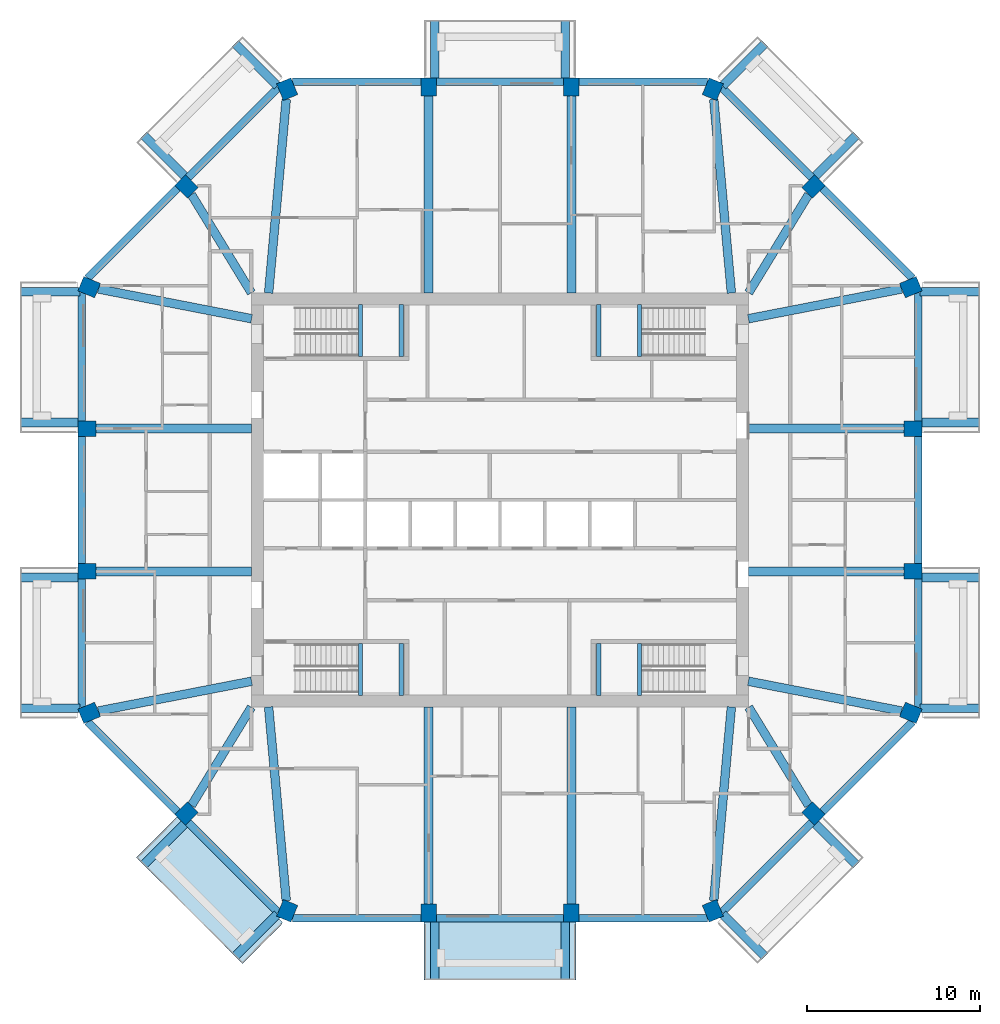
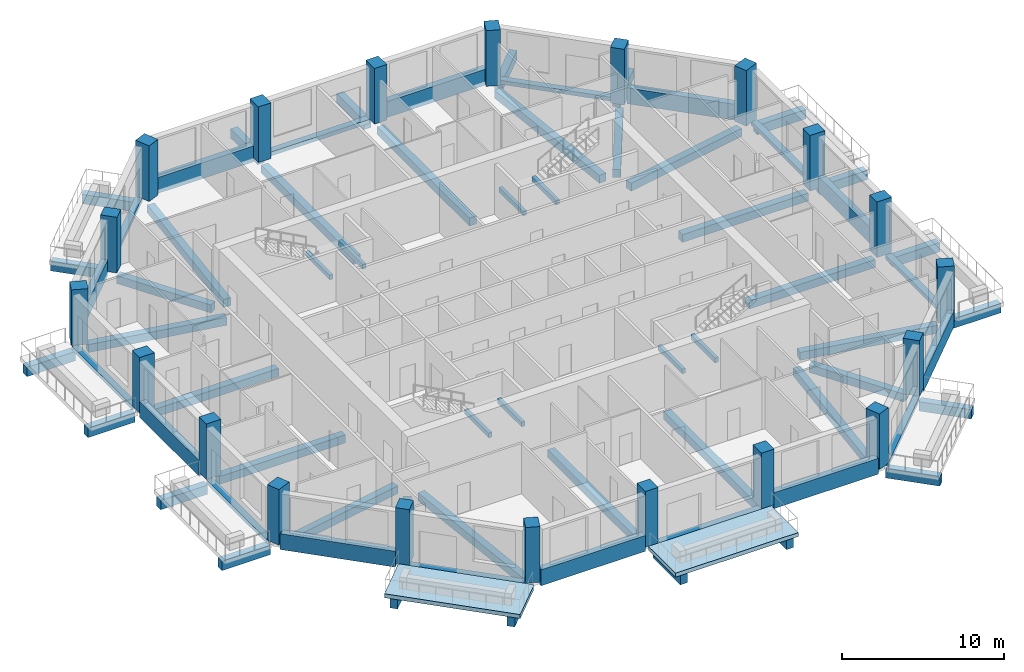
# One storey, part 1 of 12: 68 beams, 20 columns, 2 slabs.
"""IFC4 building model written with IfcOpenShell, lengths in metres."""

from ifc_helpers import new_model, si_unit, direction, frame, origin, origin_2d, place, context, subcontext, project, spatial, polyline, rectangle, outline, extrude, material, layer, layer_set, material_profile, profile_set, type_object, element, save


model = new_model("IFC4")

# Units and contexts
model_context = context("Model", 3, precision=1e-05, world=origin(), true_north=direction((0.0, 1.0)))
body_context = subcontext(model_context, "Body", "Model", "MODEL_VIEW")
ifc_project = project(units=[si_unit("LENGTHUNIT", "METRE"), si_unit("AREAUNIT", "SQUARE_METRE"), si_unit("VOLUMEUNIT", "CUBIC_METRE"), si_unit("PLANEANGLEUNIT", "RADIAN"), si_unit("MASSUNIT", "GRAM", prefix="KILO")], contexts=[model_context])

# Site, building, storey
site_placement = place(None, origin())
site = spatial("IfcSite", under=ifc_project, at=site_placement, CompositionType="ELEMENT")
building_placement = place(site_placement, origin())
building = spatial("IfcBuilding", under=site, at=building_placement, Name="Msitu Wima Residences", CompositionType="ELEMENT")
storey_placement = place(building_placement, frame((0.0, 0.0, 204.300048828125)))
storey = spatial("IfcBuildingStorey", under=building, at=storey_placement, Name="L47", CompositionType="ELEMENT", Elevation=204.300048828125)

# Columns
ifc_material_1 = material(Name="Concrete C60/75", Category="concrete")
ifc_material_profile_1 = material_profile(ifc_material_1, rectangle(XDim=0.89990234375, YDim=1.050048828125, at=origin_2d()), Name="RC 900x1050")
ifc_profile_set_1 = profile_set([ifc_material_profile_1], Name="Concrete C60/75")
column_type = type_object("IfcColumnType", Name="Column RC 900x1050 Concrete C60/75", PredefinedType="COLUMN", material=ifc_profile_set_1)
for number, where, z_axis, x_axis, name in (
    (1, (23.792724609375, -12.325927734375, 0.0), (0.0, 0.0, 1.0), (0.382683496864, 0.923879505795, 0.0), "Column L47 C-E0"),
    (2, (23.925048828125, -4.13720703125, 0.0), (0.0, 0.0, 1.0), (0.0, 1.0, 0.0), "Column L47 C-E1"),
    (3, (23.925048828125, 4.13720703125, 0.0), (0.0, 0.0, 1.0), (0.0, 1.0, 0.0), "Column L47 C-E2"),
    (4, (23.792724609375, 12.325927734375, 0.0), (0.0, 0.0, 1.0), (-0.382683496864, 0.923879505795, 0.0), "Column L47 C-NE0"),
    (5, (18.15283203125, 18.15283203125, 0.0), (0.0, 0.0, 1.0), (-0.707106781187, 0.707106781187, 0.0), "Column L47 C-NE1"),
    (6, (12.325927734375, 23.792724609375, 0.0), (0.0, 0.0, 1.0), (-0.923879505795, 0.382683496864, 0.0), "Column L47 C-N0"),
    (7, (4.13720703125, 23.925048828125, 0.0), (0.0, 0.0, 1.0), (-1.0, 0.0, 0.0), "Column L47 C-N1"),
    (8, (-4.13720703125, 23.925048828125, 0.0), (0.0, 0.0, 1.0), (-1.0, 0.0, 0.0), "Column L47 C-N2"),
    (9, (-12.325927734375, 23.792724609375, 0.0), (0.0, 0.0, 1.0), (-0.923879505795, -0.382683496864, 0.0), "Column L47 C-NW0"),
    (10, (-18.15283203125, 18.15283203125, 0.0), (0.0, 0.0, 1.0), (-0.707106781187, -0.707106781187, 0.0), "Column L47 C-NW1"),
    (11, (-23.792724609375, 12.325927734375, 0.0), (0.0, 0.0, 1.0), (-0.382683496864, -0.923879505795, 0.0), "Column L47 C-W0"),
    (12, (-23.925048828125, 4.13720703125, 0.0), (0.0, 0.0, 1.0), (0.0, -1.0, 0.0), "Column L47 C-W1"),
    (13, (-23.925048828125, -4.13720703125, 0.0), (0.0, 0.0, 1.0), (0.0, -1.0, 0.0), "Column L47 C-W2"),
    (14, (-23.792724609375, -12.325927734375, 0.0), (0.0, 0.0, 1.0), (0.382683496864, -0.923879505795, 0.0), "Column L47 C-SW0"),
    (15, (-18.15283203125, -18.15283203125, 0.0), (0.0, 0.0, 1.0), (0.707106781187, -0.707106781187, 0.0), "Column L47 C-SW1"),
    (16, (-12.325927734375, -23.792724609375, 0.0), (0.0, 0.0, 1.0), (0.923879505795, -0.382683496864, 0.0), "Column L47 C-S0"),
    (17, (-4.13720703125, -23.925048828125, 0.0), (0.0, 0.0, 1.0), (1.0, 0.0, 0.0), "Column L47 C-S1"),
    (18, (4.13720703125, -23.925048828125, 0.0), (0.0, 0.0, 1.0), (1.0, 0.0, 0.0), "Column L47 C-S2"),
    (19, (12.325927734375, -23.792724609375, 0.0), (0.0, 0.0, 1.0), (0.923879505795, 0.382683496864, 0.0), "Column L47 C-SE0"),
    (20, (18.15283203125, -18.15283203125, 0.0), (0.0, 0.0, 1.0), (0.707106781187, 0.707106781187, 0.0), "Column L47 C-SE1"),
):
    element("IfcColumn", number, at=place(storey_placement, frame(where, z_axis=z_axis, x_axis=x_axis)), inside=storey, type_object=column_type, Name=name, PredefinedType="COLUMN", context=body_context, shape_type="SweptSolid", body=[
        extrude(rectangle(XDim=0.89990234375, YDim=1.050048828125, at=origin_2d()), origin(), (0.0, 0.0, 1.0), 4.199951171875),
    ])

# Beams
ifc_material_2 = material(Name="Concrete C50/60", Category="concrete")
ifc_material_profile_2 = material_profile(ifc_material_2, rectangle(XDim=0.5, YDim=0.60009765625, at=origin_2d()), Name="RC 500x600")
ifc_profile_set_2 = profile_set([ifc_material_profile_2], Name="Concrete C50/60")
beam_type_1 = type_object("IfcBeamType", Name="Beam RC 500x600 Concrete C50/60", PredefinedType="BEAM", material=ifc_profile_set_2)
beam_1_placement = place(storey_placement, frame((23.266845703125, -12.2236328125, -0.550048828125), z_axis=(-0.981627328559, 0.190808248841, 0.0), x_axis=(-0.190808248841, -0.981627328559, 0.0)))
element("IfcBeam", 21, at=beam_1_placement, inside=storey, type_object=beam_type_1, Name="Beam L47 C-E0", PredefinedType="BEAM", context=body_context, shape_type="SweptSolid", body=[
    extrude(rectangle(XDim=0.5, YDim=0.60009765625, at=origin_2d()), origin(), (0.0, 0.0, 1.0), 9.044921875),
])
for number, where, z_axis, x_axis, name in (
    (22, (23.39990234375, -4.13720703125, -0.550048828125), (-1.0, 0.0, 0.0), (0.0, -1.0, 0.0), "Beam L47 C-E1"),
    (23, (23.39990234375, 4.13720703125, -0.550048828125), (-1.0, 0.0, 0.0), (0.0, -1.0, 0.0), "Beam L47 C-E2"),
):
    element("IfcBeam", number, at=place(storey_placement, frame(where, z_axis=z_axis, x_axis=x_axis)), inside=storey, type_object=beam_type_1, Name=name, PredefinedType="BEAM", context=body_context, shape_type="SweptSolid", body=[
        extrude(rectangle(XDim=0.5, YDim=0.60009765625, at=origin_2d()), origin(), (0.0, 0.0, 1.0), 9.0),
    ])
beam_2_placement = place(storey_placement, frame((23.266845703125, 12.2236328125, -0.550048828125), z_axis=(-0.981627328559, -0.190808248841, 0.0), x_axis=(0.190808248841, -0.981627328559, 0.0)))
element("IfcBeam", 24, at=beam_2_placement, inside=storey, type_object=beam_type_1, Name="Beam L47 C-NE0", PredefinedType="BEAM", context=body_context, shape_type="SweptSolid", body=[
    extrude(rectangle(XDim=0.5, YDim=0.60009765625, at=origin_2d()), origin(), (0.0, 0.0, 1.0), 9.044921875),
])
beam_3_placement = place(storey_placement, frame((17.87158203125, 17.691650390625, -0.550048828125), z_axis=(-0.520734381113, -0.853718750132, 0.0), x_axis=(0.853718750132, -0.520734381113, 0.0)))
element("IfcBeam", 25, at=beam_3_placement, inside=storey, type_object=beam_type_1, Name="Beam L47 C-NE1", PredefinedType="BEAM", context=body_context, shape_type="SweptSolid", body=[
    extrude(rectangle(XDim=0.5, YDim=0.60009765625, at=origin_2d()), origin(), (0.0, 0.0, 1.0), 6.6669921875),
])
beam_4_placement = place(storey_placement, frame((12.379638671875, 23.2021484375, -0.550048828125), z_axis=(0.090713636077, -0.995877018627, 0.0), x_axis=(0.995877018627, 0.090713636077, 0.0)))
element("IfcBeam", 26, at=beam_4_placement, inside=storey, type_object=beam_type_1, Name="Beam L47 C-N0", PredefinedType="BEAM", context=body_context, shape_type="SweptSolid", body=[
    extrude(rectangle(XDim=0.5, YDim=0.60009765625, at=origin_2d()), origin(), (0.0, 0.0, 1.0), 11.260498046875),
])
for number, where, z_axis, x_axis, name in (
    (27, (4.13720703125, 23.39990234375, -0.550048828125), (0.0, -1.0, 0.0), (1.0, 0.0, 0.0), "Beam L47 C-N1"),
    (28, (-4.13720703125, 23.39990234375, -0.550048828125), (0.0, -1.0, 0.0), (1.0, 0.0, 0.0), "Beam L47 C-N2"),
):
    element("IfcBeam", number, at=place(storey_placement, frame(where, z_axis=z_axis, x_axis=x_axis)), inside=storey, type_object=beam_type_1, Name=name, PredefinedType="BEAM", context=body_context, shape_type="SweptSolid", body=[
        extrude(rectangle(XDim=0.5, YDim=0.60009765625, at=origin_2d()), origin(), (0.0, 0.0, 1.0), 11.39990234375),
    ])
beam_5_placement = place(storey_placement, frame((-12.379638671875, 23.2021484375, -0.550048828125), z_axis=(-0.090713636077, -0.995877018627, 0.0), x_axis=(0.995877018627, -0.090713636077, 0.0)))
element("IfcBeam", 29, at=beam_5_placement, inside=storey, type_object=beam_type_1, Name="Beam L47 C-NW0", PredefinedType="BEAM", context=body_context, shape_type="SweptSolid", body=[
    extrude(rectangle(XDim=0.5, YDim=0.60009765625, at=origin_2d()), origin(), (0.0, 0.0, 1.0), 11.260498046875),
])
beam_6_placement = place(storey_placement, frame((-17.87158203125, 17.691650390625, -0.550048828125), z_axis=(0.520734381113, -0.853718750132, 0.0), x_axis=(0.853718750132, 0.520734381113, 0.0)))
element("IfcBeam", 30, at=beam_6_placement, inside=storey, type_object=beam_type_1, Name="Beam L47 C-NW1", PredefinedType="BEAM", context=body_context, shape_type="SweptSolid", body=[
    extrude(rectangle(XDim=0.5, YDim=0.60009765625, at=origin_2d()), origin(), (0.0, 0.0, 1.0), 6.6669921875),
])
beam_7_placement = place(storey_placement, frame((-23.266845703125, 12.2236328125, -0.550048828125), z_axis=(0.981627328559, -0.190808248841, 0.0), x_axis=(0.190808248841, 0.981627328559, 0.0)))
element("IfcBeam", 31, at=beam_7_placement, inside=storey, type_object=beam_type_1, Name="Beam L47 C-W0", PredefinedType="BEAM", context=body_context, shape_type="SweptSolid", body=[
    extrude(rectangle(XDim=0.5, YDim=0.60009765625, at=origin_2d()), origin(), (0.0, 0.0, 1.0), 9.044921875),
])
for number, where, z_axis, x_axis, name in (
    (32, (-23.39990234375, 4.13720703125, -0.550048828125), (1.0, 0.0, 0.0), (0.0, 1.0, 0.0), "Beam L47 C-W1"),
    (33, (-23.39990234375, -4.13720703125, -0.550048828125), (1.0, 0.0, 0.0), (0.0, 1.0, 0.0), "Beam L47 C-W2"),
):
    element("IfcBeam", number, at=place(storey_placement, frame(where, z_axis=z_axis, x_axis=x_axis)), inside=storey, type_object=beam_type_1, Name=name, PredefinedType="BEAM", context=body_context, shape_type="SweptSolid", body=[
        extrude(rectangle(XDim=0.5, YDim=0.60009765625, at=origin_2d()), origin(), (0.0, 0.0, 1.0), 9.0),
    ])
beam_8_placement = place(storey_placement, frame((-23.266845703125, -12.2236328125, -0.550048828125), z_axis=(0.981627328559, 0.190808248841, 0.0), x_axis=(-0.190808248841, 0.981627328559, 0.0)))
element("IfcBeam", 34, at=beam_8_placement, inside=storey, type_object=beam_type_1, Name="Beam L47 C-SW0", PredefinedType="BEAM", context=body_context, shape_type="SweptSolid", body=[
    extrude(rectangle(XDim=0.5, YDim=0.60009765625, at=origin_2d()), origin(), (0.0, 0.0, 1.0), 9.044921875),
])
beam_9_placement = place(storey_placement, frame((-17.87158203125, -17.691650390625, -0.550048828125), z_axis=(0.520734381113, 0.853718750132, 0.0), x_axis=(-0.853718750132, 0.520734381113, 0.0)))
element("IfcBeam", 35, at=beam_9_placement, inside=storey, type_object=beam_type_1, Name="Beam L47 C-SW1", PredefinedType="BEAM", context=body_context, shape_type="SweptSolid", body=[
    extrude(rectangle(XDim=0.5, YDim=0.60009765625, at=origin_2d()), origin(), (0.0, 0.0, 1.0), 6.6669921875),
])
beam_10_placement = place(storey_placement, frame((-12.379638671875, -23.2021484375, -0.550048828125), z_axis=(-0.090713636077, 0.995877018627, 0.0), x_axis=(-0.995877018627, -0.090713636077, 0.0)))
element("IfcBeam", 36, at=beam_10_placement, inside=storey, type_object=beam_type_1, Name="Beam L47 C-S0", PredefinedType="BEAM", context=body_context, shape_type="SweptSolid", body=[
    extrude(rectangle(XDim=0.5, YDim=0.60009765625, at=origin_2d()), origin(), (0.0, 0.0, 1.0), 11.260498046875),
])
for number, where, z_axis, x_axis, name in (
    (37, (-4.13720703125, -23.39990234375, -0.550048828125), (0.0, 1.0, 0.0), (-1.0, 0.0, 0.0), "Beam L47 C-S1"),
    (38, (4.13720703125, -23.39990234375, -0.550048828125), (0.0, 1.0, 0.0), (-1.0, 0.0, 0.0), "Beam L47 C-S2"),
):
    element("IfcBeam", number, at=place(storey_placement, frame(where, z_axis=z_axis, x_axis=x_axis)), inside=storey, type_object=beam_type_1, Name=name, PredefinedType="BEAM", context=body_context, shape_type="SweptSolid", body=[
        extrude(rectangle(XDim=0.5, YDim=0.60009765625, at=origin_2d()), origin(), (0.0, 0.0, 1.0), 11.39990234375),
    ])
beam_11_placement = place(storey_placement, frame((12.379638671875, -23.2021484375, -0.550048828125), z_axis=(0.090713636077, 0.995877018627, 0.0), x_axis=(-0.995877018627, 0.090713636077, 0.0)))
element("IfcBeam", 39, at=beam_11_placement, inside=storey, type_object=beam_type_1, Name="Beam L47 C-SE0", PredefinedType="BEAM", context=body_context, shape_type="SweptSolid", body=[
    extrude(rectangle(XDim=0.5, YDim=0.60009765625, at=origin_2d()), origin(), (0.0, 0.0, 1.0), 11.260498046875),
])
beam_12_placement = place(storey_placement, frame((17.87158203125, -17.691650390625, -0.550048828125), z_axis=(-0.520734381113, 0.853718750132, 0.0), x_axis=(-0.853718750132, -0.520734381113, 0.0)))
element("IfcBeam", 40, at=beam_12_placement, inside=storey, type_object=beam_type_1, Name="Beam L47 C-SE1", PredefinedType="BEAM", context=body_context, shape_type="SweptSolid", body=[
    extrude(rectangle(XDim=0.5, YDim=0.60009765625, at=origin_2d()), origin(), (0.0, 0.0, 1.0), 6.6669921875),
])
ifc_material_profile_3 = material_profile(ifc_material_2, rectangle(XDim=0.5, YDim=0.699951171875, at=origin_2d()), Name="RC 500x700")
ifc_profile_set_3 = profile_set([ifc_material_profile_3], Name="Concrete C50/60")
beam_type_2 = type_object("IfcBeamType", Name="Cantilever beam RC 500x700 Concrete C50/60", PredefinedType="BEAM", material=ifc_profile_set_3)
beam_13_placement = place(storey_placement, frame((24.330810546875, -12.061767578125, -0.650146484375), z_axis=(1.0, 0.0, 0.0), x_axis=(0.0, 1.0, 0.0)))
element("IfcBeam", 41, at=beam_13_placement, inside=storey, type_object=beam_type_2, Name="Cantilever beam L47 BA-E0 A", PredefinedType="BEAM", context=body_context, shape_type="SweptSolid", body=[
    extrude(rectangle(XDim=0.5, YDim=0.699951171875, at=origin_2d()), origin(), (0.0, 0.0, 1.0), 3.46923828125),
])
for number, where, z_axis, x_axis, name in (
    (42, (24.449951171875, -4.4873046875, -0.650146484375), (1.0, 0.0, 0.0), (0.0, 1.0, 0.0), "Cantilever beam L47 BA-E0 B"),
    (43, (24.449951171875, 4.4873046875, -0.650146484375), (1.0, 0.0, 0.0), (0.0, 1.0, 0.0), "Cantilever beam L47 BA-E2 A"),
):
    element("IfcBeam", number, at=place(storey_placement, frame(where, z_axis=z_axis, x_axis=x_axis)), inside=storey, type_object=beam_type_2, Name=name, PredefinedType="BEAM", context=body_context, shape_type="SweptSolid", body=[
        extrude(rectangle(XDim=0.5, YDim=0.699951171875, at=origin_2d()), origin(), (0.0, 0.0, 1.0), 3.35009765625),
    ])
beam_14_placement = place(storey_placement, frame((24.330810546875, 12.061767578125, -0.650146484375), z_axis=(1.0, 0.0, 0.0), x_axis=(0.0, 1.0, 0.0)))
element("IfcBeam", 44, at=beam_14_placement, inside=storey, type_object=beam_type_2, Name="Cantilever beam L47 BA-E2 B", PredefinedType="BEAM", context=body_context, shape_type="SweptSolid", body=[
    extrude(rectangle(XDim=0.5, YDim=0.699951171875, at=origin_2d()), origin(), (0.0, 0.0, 1.0), 3.46923828125),
])
beam_15_placement = place(storey_placement, frame((18.276611328125, 18.771484375, -0.650146484375), z_axis=(0.707106781187, 0.707106781187, 0.0), x_axis=(-0.707106781187, 0.707106781187, 0.0)))
element("IfcBeam", 45, at=beam_15_placement, inside=storey, type_object=beam_type_2, Name="Cantilever beam L47 BA-NE1 A", PredefinedType="BEAM", context=body_context, shape_type="SweptSolid", body=[
    extrude(rectangle(XDim=0.5, YDim=0.699951171875, at=origin_2d()), origin(), (0.0, 0.0, 1.0), 3.35009765625),
])
beam_16_placement = place(storey_placement, frame((12.893310546875, 23.986572265625, -0.650146484375), z_axis=(0.707106781187, 0.707106781187, 0.0), x_axis=(-0.707106781187, 0.707106781187, 0.0)))
element("IfcBeam", 46, at=beam_16_placement, inside=storey, type_object=beam_type_2, Name="Cantilever beam L47 BA-NE1 B", PredefinedType="BEAM", context=body_context, shape_type="SweptSolid", body=[
    extrude(rectangle(XDim=0.5, YDim=0.699951171875, at=origin_2d()), origin(), (0.0, 0.0, 1.0), 3.468994140625),
])
for number, where, z_axis, x_axis, name in (
    (47, (3.787353515625, 24.449951171875, -0.650146484375), (0.0, 1.0, 0.0), (-1.0, 0.0, 0.0), "Cantilever beam L47 BA-N1 A"),
    (48, (-3.787353515625, 24.449951171875, -0.650146484375), (0.0, 1.0, 0.0), (-1.0, 0.0, 0.0), "Cantilever beam L47 BA-N1 B"),
):
    element("IfcBeam", number, at=place(storey_placement, frame(where, z_axis=z_axis, x_axis=x_axis)), inside=storey, type_object=beam_type_2, Name=name, PredefinedType="BEAM", context=body_context, shape_type="SweptSolid", body=[
        extrude(rectangle(XDim=0.5, YDim=0.699951171875, at=origin_2d()), origin(), (0.0, 0.0, 1.0), 3.35009765625),
    ])
beam_17_placement = place(storey_placement, frame((-12.893310546875, 23.986572265625, -0.650146484375), z_axis=(-0.707106781187, 0.707106781187, 0.0), x_axis=(-0.707106781187, -0.707106781187, 0.0)))
element("IfcBeam", 49, at=beam_17_placement, inside=storey, type_object=beam_type_2, Name="Cantilever beam L47 BA-NW0 A", PredefinedType="BEAM", context=body_context, shape_type="SweptSolid", body=[
    extrude(rectangle(XDim=0.5, YDim=0.699951171875, at=origin_2d()), origin(), (0.0, 0.0, 1.0), 3.468994140625),
])
beam_18_placement = place(storey_placement, frame((-18.276611328125, 18.771484375, -0.650146484375), z_axis=(-0.707106781187, 0.707106781187, 0.0), x_axis=(-0.707106781187, -0.707106781187, 0.0)))
element("IfcBeam", 50, at=beam_18_placement, inside=storey, type_object=beam_type_2, Name="Cantilever beam L47 BA-NW0 B", PredefinedType="BEAM", context=body_context, shape_type="SweptSolid", body=[
    extrude(rectangle(XDim=0.5, YDim=0.699951171875, at=origin_2d()), origin(), (0.0, 0.0, 1.0), 3.35009765625),
])
beam_19_placement = place(storey_placement, frame((-24.330810546875, 12.061767578125, -0.650146484375), z_axis=(-1.0, 0.0, 0.0), x_axis=(0.0, -1.0, 0.0)))
element("IfcBeam", 51, at=beam_19_placement, inside=storey, type_object=beam_type_2, Name="Cantilever beam L47 BA-W0 A", PredefinedType="BEAM", context=body_context, shape_type="SweptSolid", body=[
    extrude(rectangle(XDim=0.5, YDim=0.699951171875, at=origin_2d()), origin(), (0.0, 0.0, 1.0), 3.46923828125),
])
for number, where, z_axis, x_axis, name in (
    (52, (-24.449951171875, 4.4873046875, -0.650146484375), (-1.0, 0.0, 0.0), (0.0, -1.0, 0.0), "Cantilever beam L47 BA-W0 B"),
    (53, (-24.449951171875, -4.4873046875, -0.650146484375), (-1.0, 0.0, 0.0), (0.0, -1.0, 0.0), "Cantilever beam L47 BA-W2 A"),
):
    element("IfcBeam", number, at=place(storey_placement, frame(where, z_axis=z_axis, x_axis=x_axis)), inside=storey, type_object=beam_type_2, Name=name, PredefinedType="BEAM", context=body_context, shape_type="SweptSolid", body=[
        extrude(rectangle(XDim=0.5, YDim=0.699951171875, at=origin_2d()), origin(), (0.0, 0.0, 1.0), 3.35009765625),
    ])
beam_20_placement = place(storey_placement, frame((-24.330810546875, -12.061767578125, -0.650146484375), z_axis=(-1.0, 0.0, 0.0), x_axis=(0.0, -1.0, 0.0)))
element("IfcBeam", 54, at=beam_20_placement, inside=storey, type_object=beam_type_2, Name="Cantilever beam L47 BA-W2 B", PredefinedType="BEAM", context=body_context, shape_type="SweptSolid", body=[
    extrude(rectangle(XDim=0.5, YDim=0.699951171875, at=origin_2d()), origin(), (0.0, 0.0, 1.0), 3.46923828125),
])
beam_21_placement = place(storey_placement, frame((-18.276611328125, -18.771484375, -0.650146484375), z_axis=(-0.707106781187, -0.707106781187, 0.0), x_axis=(0.707106781187, -0.707106781187, 0.0)))
element("IfcBeam", 55, at=beam_21_placement, inside=storey, type_object=beam_type_2, Name="Cantilever beam L47 BA-SW1 A", PredefinedType="BEAM", context=body_context, shape_type="SweptSolid", body=[
    extrude(rectangle(XDim=0.5, YDim=0.699951171875, at=origin_2d()), origin(), (0.0, 0.0, 1.0), 3.35009765625),
])
beam_22_placement = place(storey_placement, frame((-12.893310546875, -23.986572265625, -0.650146484375), z_axis=(-0.707106781187, -0.707106781187, 0.0), x_axis=(0.707106781187, -0.707106781187, 0.0)))
element("IfcBeam", 56, at=beam_22_placement, inside=storey, type_object=beam_type_2, Name="Cantilever beam L47 BA-SW1 B", PredefinedType="BEAM", context=body_context, shape_type="SweptSolid", body=[
    extrude(rectangle(XDim=0.5, YDim=0.699951171875, at=origin_2d()), origin(), (0.0, 0.0, 1.0), 3.468994140625),
])
for number, where, z_axis, x_axis, name in (
    (57, (-3.787353515625, -24.449951171875, -0.650146484375), (0.0, -1.0, 0.0), (1.0, 0.0, 0.0), "Cantilever beam L47 BA-S1 A"),
    (58, (3.787353515625, -24.449951171875, -0.650146484375), (0.0, -1.0, 0.0), (1.0, 0.0, 0.0), "Cantilever beam L47 BA-S1 B"),
):
    element("IfcBeam", number, at=place(storey_placement, frame(where, z_axis=z_axis, x_axis=x_axis)), inside=storey, type_object=beam_type_2, Name=name, PredefinedType="BEAM", context=body_context, shape_type="SweptSolid", body=[
        extrude(rectangle(XDim=0.5, YDim=0.699951171875, at=origin_2d()), origin(), (0.0, 0.0, 1.0), 3.35009765625),
    ])
beam_23_placement = place(storey_placement, frame((12.893310546875, -23.986572265625, -0.650146484375), z_axis=(0.707106781187, -0.707106781187, 0.0), x_axis=(0.707106781187, 0.707106781187, 0.0)))
element("IfcBeam", 59, at=beam_23_placement, inside=storey, type_object=beam_type_2, Name="Cantilever beam L47 BA-SE0 A", PredefinedType="BEAM", context=body_context, shape_type="SweptSolid", body=[
    extrude(rectangle(XDim=0.5, YDim=0.699951171875, at=origin_2d()), origin(), (0.0, 0.0, 1.0), 3.468994140625),
])
beam_24_placement = place(storey_placement, frame((18.276611328125, -18.771484375, -0.650146484375), z_axis=(0.707106781187, -0.707106781187, 0.0), x_axis=(0.707106781187, 0.707106781187, 0.0)))
element("IfcBeam", 60, at=beam_24_placement, inside=storey, type_object=beam_type_2, Name="Cantilever beam L47 BA-SE0 B", PredefinedType="BEAM", context=body_context, shape_type="SweptSolid", body=[
    extrude(rectangle(XDim=0.5, YDim=0.699951171875, at=origin_2d()), origin(), (0.0, 0.0, 1.0), 3.35009765625),
])
ifc_material_profile_4 = material_profile(ifc_material_2, rectangle(XDim=0.449951171875, YDim=0.300048828125, at=origin_2d()), Name="RC 450x300")
ifc_profile_set_4 = profile_set([ifc_material_profile_4], Name="Concrete C50/60")
beam_type_3 = type_object("IfcBeamType", Name="Edge beam RC 450x300 Concrete C50/60", PredefinedType="SPANDREL", material=ifc_profile_set_4)
for number, where, z_axis, x_axis, name in (
    (61, (24.22509765625, -12.02978515625, -0.150146484375), (0.0, 1.0, 0.0), (-1.0, 0.0, 0.0), "Spandrel L47 E0"),
    (62, (24.22509765625, 4.587158203125, -0.150146484375), (0.0, 1.0, 0.0), (-1.0, 0.0, 0.0), "Spandrel L47 E2"),
):
    element("IfcBeam", number, at=place(storey_placement, frame(where, z_axis=z_axis, x_axis=x_axis)), inside=storey, type_object=beam_type_3, Name=name, PredefinedType="SPANDREL", context=body_context, shape_type="SweptSolid", body=[
        extrude(rectangle(XDim=0.449951171875, YDim=0.300048828125, at=origin_2d()), origin(), (0.0, 0.0, 1.0), 7.442626953125),
    ])
beam_25_placement = place(storey_placement, frame((18.046875, 18.68310546875, -0.150146484375), z_axis=(-0.707106781187, 0.707106781187, 0.0), x_axis=(-0.707106781187, -0.707106781187, 0.0)))
element("IfcBeam", 63, at=beam_25_placement, inside=storey, type_object=beam_type_3, Name="Spandrel L47 NE1", PredefinedType="SPANDREL", context=body_context, shape_type="SweptSolid", body=[
    extrude(rectangle(XDim=0.449951171875, YDim=0.300048828125, at=origin_2d()), origin(), (0.0, 0.0, 1.0), 7.362548828125),
])
beam_26_placement = place(storey_placement, frame((3.687255859375, 24.22509765625, -0.150146484375), z_axis=(-1.0, 0.0, 0.0), x_axis=(0.0, -1.0, 0.0)))
element("IfcBeam", 64, at=beam_26_placement, inside=storey, type_object=beam_type_3, Name="Spandrel L47 N1", PredefinedType="SPANDREL", context=body_context, shape_type="SweptSolid", body=[
    extrude(rectangle(XDim=0.449951171875, YDim=0.300048828125, at=origin_2d()), origin(), (0.0, 0.0, 1.0), 7.37451171875),
])
beam_27_placement = place(storey_placement, frame((-12.8408203125, 23.88916015625, -0.150146484375), z_axis=(-0.707106781187, -0.707106781187, 0.0), x_axis=(0.707106781187, -0.707106781187, 0.0)))
element("IfcBeam", 65, at=beam_27_placement, inside=storey, type_object=beam_type_3, Name="Spandrel L47 NW0", PredefinedType="SPANDREL", context=body_context, shape_type="SweptSolid", body=[
    extrude(rectangle(XDim=0.449951171875, YDim=0.300048828125, at=origin_2d()), origin(), (0.0, 0.0, 1.0), 7.362548828125),
])
for number, where, z_axis, x_axis, name in (
    (66, (-24.22509765625, 12.02978515625, -0.150146484375), (0.0, -1.0, 0.0), (1.0, 0.0, 0.0), "Spandrel L47 W0"),
    (67, (-24.22509765625, -4.587158203125, -0.150146484375), (0.0, -1.0, 0.0), (1.0, 0.0, 0.0), "Spandrel L47 W2"),
):
    element("IfcBeam", number, at=place(storey_placement, frame(where, z_axis=z_axis, x_axis=x_axis)), inside=storey, type_object=beam_type_3, Name=name, PredefinedType="SPANDREL", context=body_context, shape_type="SweptSolid", body=[
        extrude(rectangle(XDim=0.449951171875, YDim=0.300048828125, at=origin_2d()), origin(), (0.0, 0.0, 1.0), 7.442626953125),
    ])
beam_28_placement = place(storey_placement, frame((-18.046875, -18.68310546875, -0.150146484375), z_axis=(0.707106781187, -0.707106781187, 0.0), x_axis=(0.707106781187, 0.707106781187, 0.0)))
element("IfcBeam", 68, at=beam_28_placement, inside=storey, type_object=beam_type_3, Name="Spandrel L47 SW1", PredefinedType="SPANDREL", context=body_context, shape_type="SweptSolid", body=[
    extrude(rectangle(XDim=0.449951171875, YDim=0.300048828125, at=origin_2d()), origin(), (0.0, 0.0, 1.0), 7.362548828125),
])
beam_29_placement = place(storey_placement, frame((-3.687255859375, -24.22509765625, -0.150146484375), z_axis=(1.0, 0.0, 0.0), x_axis=(0.0, 1.0, 0.0)))
element("IfcBeam", 69, at=beam_29_placement, inside=storey, type_object=beam_type_3, Name="Spandrel L47 S1", PredefinedType="SPANDREL", context=body_context, shape_type="SweptSolid", body=[
    extrude(rectangle(XDim=0.449951171875, YDim=0.300048828125, at=origin_2d()), origin(), (0.0, 0.0, 1.0), 7.37451171875),
])
beam_30_placement = place(storey_placement, frame((12.8408203125, -23.88916015625, -0.150146484375), z_axis=(0.707106781187, 0.707106781187, 0.0), x_axis=(-0.707106781187, 0.707106781187, 0.0)))
element("IfcBeam", 70, at=beam_30_placement, inside=storey, type_object=beam_type_3, Name="Spandrel L47 SE0", PredefinedType="SPANDREL", context=body_context, shape_type="SweptSolid", body=[
    extrude(rectangle(XDim=0.449951171875, YDim=0.300048828125, at=origin_2d()), origin(), (0.0, 0.0, 1.0), 7.362548828125),
])
ifc_material_3 = material(Name="Concrete C40/50", Category="concrete")
ifc_material_profile_5 = material_profile(ifc_material_3, rectangle(XDim=0.25, YDim=0.35009765625, at=origin_2d()), Name="RC 250x350")
ifc_profile_set_5 = profile_set([ifc_material_profile_5], Name="Concrete C40/50")
beam_type_4 = type_object("IfcBeamType", Name="Landing beam RC 250x350", PredefinedType="BEAM", material=ifc_profile_set_5)
for number, where, z_axis, x_axis, name in (
    (71, (-8.074951171875, 8.324951171875, 1.724853515625), (0.0, 1.0, 0.0), (-1.0, 0.0, 0.0), "Stair 1 landing beam"),
    (72, (-5.72509765625, 8.324951171875, 1.724853515625), (0.0, 1.0, 0.0), (-1.0, 0.0, 0.0), "Stair 1 landing beam"),
    (73, (-8.074951171875, -11.324951171875, 1.724853515625), (0.0, 1.0, 0.0), (-1.0, 0.0, 0.0), "Stair 2 landing beam"),
    (74, (-5.72509765625, -11.324951171875, 1.724853515625), (0.0, 1.0, 0.0), (-1.0, 0.0, 0.0), "Stair 2 landing beam"),
    (75, (8.074951171875, 8.324951171875, 1.724853515625), (0.0, 1.0, 0.0), (-1.0, 0.0, 0.0), "Stair 3 landing beam"),
    (76, (5.72509765625, 8.324951171875, 1.724853515625), (0.0, 1.0, 0.0), (-1.0, 0.0, 0.0), "Stair 3 landing beam"),
    (77, (8.074951171875, -11.324951171875, 1.724853515625), (0.0, 1.0, 0.0), (-1.0, 0.0, 0.0), "Stair 4 landing beam"),
    (78, (5.72509765625, -11.324951171875, 1.724853515625), (0.0, 1.0, 0.0), (-1.0, 0.0, 0.0), "Stair 4 landing beam"),
):
    element("IfcBeam", number, at=place(storey_placement, frame(where, z_axis=z_axis, x_axis=x_axis)), inside=storey, type_object=beam_type_4, Name=name, PredefinedType="BEAM", context=body_context, shape_type="SweptSolid", body=[
        extrude(rectangle(XDim=0.25, YDim=0.35009765625, at=origin_2d()), origin(), (0.0, 0.0, 1.0), 3.0),
    ])
ifc_material_profile_6 = material_profile(ifc_material_2, rectangle(XDim=0.449951171875, YDim=1.199951171875, at=origin_2d()), Name="RC 450x1200")
ifc_profile_set_6 = profile_set([ifc_material_profile_6], Name="Concrete C50/60")
beam_type_5 = type_object("IfcBeamType", Name="Spandrel RC 450x1200 Concrete C50/60", PredefinedType="SPANDREL", material=ifc_profile_set_6)
beam_31_placement = place(storey_placement, frame((24.22509765625, -3.687255859375, 0.300048828125), z_axis=(0.0, 1.0, 0.0), x_axis=(-1.0, 0.0, 0.0)))
element("IfcBeam", 79, at=beam_31_placement, inside=storey, type_object=beam_type_5, Name="Spandrel L47 E1", PredefinedType="SPANDREL", context=body_context, shape_type="SweptSolid", body=[
    extrude(rectangle(XDim=0.449951171875, YDim=1.199951171875, at=origin_2d()), origin(), (0.0, 0.0, 1.0), 7.37451171875),
])
beam_32_placement = place(storey_placement, frame((23.88916015625, 12.8408203125, 0.300048828125), z_axis=(-0.707106781187, 0.707106781187, 0.0), x_axis=(-0.707106781187, -0.707106781187, 0.0)))
element("IfcBeam", 80, at=beam_32_placement, inside=storey, type_object=beam_type_5, Name="Spandrel L47 NE0", PredefinedType="SPANDREL", context=body_context, shape_type="SweptSolid", body=[
    extrude(rectangle(XDim=0.449951171875, YDim=1.199951171875, at=origin_2d()), origin(), (0.0, 0.0, 1.0), 7.362548828125),
])
for number, where, z_axis, x_axis, name in (
    (81, (12.02978515625, 24.22509765625, 0.300048828125), (-1.0, 0.0, 0.0), (0.0, -1.0, 0.0), "Spandrel L47 N0"),
    (82, (-4.587158203125, 24.22509765625, 0.300048828125), (-1.0, 0.0, 0.0), (0.0, -1.0, 0.0), "Spandrel L47 N2"),
):
    element("IfcBeam", number, at=place(storey_placement, frame(where, z_axis=z_axis, x_axis=x_axis)), inside=storey, type_object=beam_type_5, Name=name, PredefinedType="SPANDREL", context=body_context, shape_type="SweptSolid", body=[
        extrude(rectangle(XDim=0.449951171875, YDim=1.199951171875, at=origin_2d()), origin(), (0.0, 0.0, 1.0), 7.442626953125),
    ])
beam_33_placement = place(storey_placement, frame((-18.68310546875, 18.046875, 0.300048828125), z_axis=(-0.707106781187, -0.707106781187, 0.0), x_axis=(0.707106781187, -0.707106781187, 0.0)))
element("IfcBeam", 83, at=beam_33_placement, inside=storey, type_object=beam_type_5, Name="Spandrel L47 NW1", PredefinedType="SPANDREL", context=body_context, shape_type="SweptSolid", body=[
    extrude(rectangle(XDim=0.449951171875, YDim=1.199951171875, at=origin_2d()), origin(), (0.0, 0.0, 1.0), 7.362548828125),
])
beam_34_placement = place(storey_placement, frame((-24.22509765625, 3.687255859375, 0.300048828125), z_axis=(0.0, -1.0, 0.0), x_axis=(1.0, 0.0, 0.0)))
element("IfcBeam", 84, at=beam_34_placement, inside=storey, type_object=beam_type_5, Name="Spandrel L47 W1", PredefinedType="SPANDREL", context=body_context, shape_type="SweptSolid", body=[
    extrude(rectangle(XDim=0.449951171875, YDim=1.199951171875, at=origin_2d()), origin(), (0.0, 0.0, 1.0), 7.37451171875),
])
beam_35_placement = place(storey_placement, frame((-23.88916015625, -12.8408203125, 0.300048828125), z_axis=(0.707106781187, -0.707106781187, 0.0), x_axis=(0.707106781187, 0.707106781187, 0.0)))
element("IfcBeam", 85, at=beam_35_placement, inside=storey, type_object=beam_type_5, Name="Spandrel L47 SW0", PredefinedType="SPANDREL", context=body_context, shape_type="SweptSolid", body=[
    extrude(rectangle(XDim=0.449951171875, YDim=1.199951171875, at=origin_2d()), origin(), (0.0, 0.0, 1.0), 7.362548828125),
])
for number, where, z_axis, x_axis, name in (
    (86, (-12.02978515625, -24.22509765625, 0.300048828125), (1.0, 0.0, 0.0), (0.0, 1.0, 0.0), "Spandrel L47 S0"),
    (87, (4.587158203125, -24.22509765625, 0.300048828125), (1.0, 0.0, 0.0), (0.0, 1.0, 0.0), "Spandrel L47 S2"),
):
    element("IfcBeam", number, at=place(storey_placement, frame(where, z_axis=z_axis, x_axis=x_axis)), inside=storey, type_object=beam_type_5, Name=name, PredefinedType="SPANDREL", context=body_context, shape_type="SweptSolid", body=[
        extrude(rectangle(XDim=0.449951171875, YDim=1.199951171875, at=origin_2d()), origin(), (0.0, 0.0, 1.0), 7.442626953125),
    ])
beam_36_placement = place(storey_placement, frame((18.68310546875, -18.046875, 0.300048828125), z_axis=(0.707106781187, 0.707106781187, 0.0), x_axis=(-0.707106781187, 0.707106781187, 0.0)))
element("IfcBeam", 88, at=beam_36_placement, inside=storey, type_object=beam_type_5, Name="Spandrel L47 SE1", PredefinedType="SPANDREL", context=body_context, shape_type="SweptSolid", body=[
    extrude(rectangle(XDim=0.449951171875, YDim=1.199951171875, at=origin_2d()), origin(), (0.0, 0.0, 1.0), 7.362548828125),
])

# Slabs
ifc_layer = layer(ifc_material_3, 0.300048828125)
ifc_layer_set = layer_set([ifc_layer], Name="Concrete C40/50")
slab_type = type_object("IfcSlabType", Name="Balcony slab BS300", PredefinedType="FLOOR", material=ifc_layer_set)
slab_1_placement = place(storey_placement, frame((0.0, 0.0, -0.300048828125)))
element("IfcSlab", 89, at=slab_1_placement, inside=storey, type_object=slab_type, Name="Balcony SW1 L47", PredefinedType="FLOOR", context=body_context, shape_type="SweptSolid", body=[
    extrude(outline(polyline([(-12.942626953125, -24.10546875), (-12.942626953125, -24.10546875), (-12.59814453125, -24.449951171875), (-12.661865234375, -24.603515625), (-14.922119140625, -26.86376953125), (-21.069580078125, -20.716064453125), (-18.700927734375, -18.347412109375), (-12.942626953125, -24.10546875), (-12.942626953125, -24.10546875)])), origin(), (0.0, 0.0, 1.0), 0.300048828125),
])
slab_2_placement = place(storey_placement, frame((0.0, 0.0, -0.300048828125)))
element("IfcSlab", 90, at=slab_2_placement, inside=storey, type_object=slab_type, Name="Balcony S1 L47", PredefinedType="FLOOR", context=body_context, shape_type="SweptSolid", body=[
    extrude(outline(polyline([(-3.687255859375, -24.449951171875), (3.687255859375, -24.449951171875), (4.38720703125, -24.449951171875), (4.38720703125, -27.800048828125), (-4.38720703125, -27.800048828125), (-4.38720703125, -24.449951171875), (-3.687255859375, -24.449951171875)])), origin(), (0.0, 0.0, 1.0), 0.300048828125),
])

save(model, "model.ifc")
